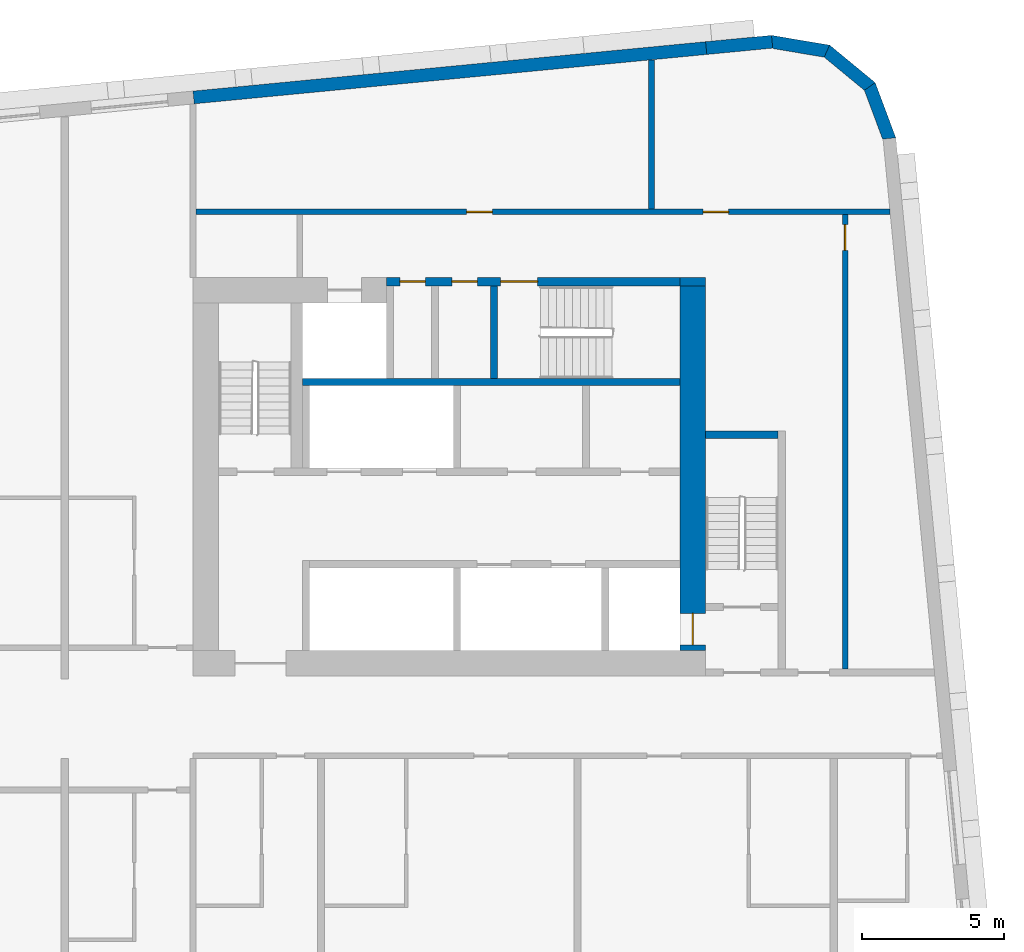
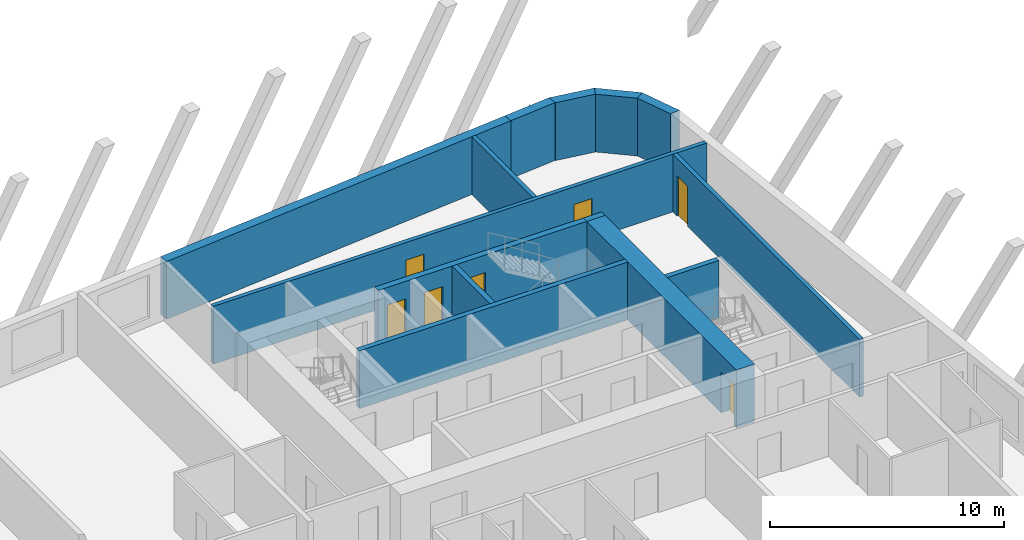
# One storey, part 8 of 13: 14 walls, 7 doors, 7 openings.
"""IFC4 building model written with IfcOpenShell, lengths in metres."""

from ifc_helpers import new_model, si_unit, direction, frame, frame_2d, origin, place, context, subcontext, project, spatial, polyline, rectangle, outline, extrude, material, layer, layer_set, type_object, element, fill, save


model = new_model("IFC4")

# Units and contexts
model_context = context("Model", 3, precision=1e-05, world=origin(), true_north=direction((0.0, 1.0)))
body_context = subcontext(model_context, "Body", "Model", "MODEL_VIEW")
ifc_project = project(units=[si_unit("LENGTHUNIT", "METRE"), si_unit("AREAUNIT", "SQUARE_METRE"), si_unit("VOLUMEUNIT", "CUBIC_METRE"), si_unit("PLANEANGLEUNIT", "RADIAN"), si_unit("MASSUNIT", "GRAM", prefix="KILO")], contexts=[model_context])

# Site, building, storey
site_placement = place(None, origin())
site = spatial("IfcSite", under=ifc_project, at=site_placement, CompositionType="ELEMENT")
building_placement = place(site_placement, origin())
building = spatial("IfcBuilding", under=site, at=building_placement, Name="Kajstack Hotel Tower", CompositionType="ELEMENT")
storey_placement = place(building_placement, frame((0.0, 0.0, 176.800048828125)))
storey = spatial("IfcBuildingStorey", under=building, at=storey_placement, Name="L41", CompositionType="ELEMENT", Elevation=176.800048828125)

# Wall
ifc_material_1 = material(Name="Concrete C60/75", Category="concrete")
ifc_layer_1 = layer(ifc_material_1, 0.89990234375)
ifc_layer_set_1 = layer_set([ifc_layer_1], Name="Core wall 900")
wall_type_1 = type_object("IfcWallType", Name="Core wall 900", PredefinedType="SHEAR", material=ifc_layer_set_1)
wall_1_placement = place(storey_placement, frame((30.60009765625, 15.35009765625, 0.0), z_axis=(0.0, 0.0, 1.0), x_axis=(1.0, 0.0, 0.0)))
element("IfcWall", 1, at=wall_1_placement, inside=storey, type_object=wall_type_1, Name="Core wall E RSW", PredefinedType="SHEAR", context=body_context, shape_type="SweptSolid", body=[
    extrude(rectangle(XDim=0.89990234375, YDim=0.300048828125, at=frame_2d((0.449951171875, 0.0))), origin(), (0.0, 0.0, 1.0), 3.02001953125),
])

# Wall, opening, door
wall_2_placement = place(storey_placement, frame((31.050048828125, 2.39990234375, 0.0), z_axis=(0.0, 0.0, 1.0), x_axis=(0.0, 1.0, 0.0)))
wall_2 = element("IfcWall", 2, at=wall_2_placement, inside=storey, type_object=wall_type_1, Name="Core wall E RW", PredefinedType="SHEAR", context=body_context, shape_type="SweptSolid", body=[
    extrude(rectangle(XDim=12.800048828125, YDim=0.89990234375, at=frame_2d((6.39990234375, 0.0))), origin(), (0.0, 0.0, 1.0), 3.02001953125),
])
opening_1_placement = place(wall_2_placement, frame((0.199951171875, 0.0, 0.0)))
opening_1 = element("IfcOpeningElement", 3, at=opening_1_placement, cuts=wall_2, Name="Opening LD-FF2", PredefinedType="OPENING", context=body_context, shape_type="SweptSolid", body=[
    extrude(rectangle(XDim=1.10009765625, YDim=2.10009765625, at=frame_2d((0.550048828125, 1.050048828125))), frame((0.0, 0.4599609375, 0.0), z_axis=(0.0, -1.0, 0.0), x_axis=(1.0, 0.0, 0.0)), (0.0, 0.0, 1.0), 0.919921875),
])
ifc_material_2 = material(Name="Stainless steel", Category="steel")
door_type_1 = type_object("IfcDoorType", Name="Fire-fighting lift landing door 1100", OperationType="SLIDING_TO_LEFT", PredefinedType="DOOR", material=ifc_material_2)
door_1_placement = place(opening_1_placement, origin())
door_1 = element("IfcDoor", 4, at=door_1_placement, inside=storey, type_object=door_type_1, Name="Landing door FF2", OperationType="SLIDING_TO_LEFT", OverallHeight=2.10009765625, OverallWidth=1.10009765625, PredefinedType="DOOR", context=body_context, shape_type="SweptSolid", body=[
    extrude(rectangle(XDim=1.10009765625, YDim=2.10009765625, at=frame_2d((0.550048828125, 1.050048828125))), frame((0.0, 0.02490234375, 0.0), z_axis=(0.0, -1.0, 0.0), x_axis=(1.0, 0.0, 0.0)), (0.0, 0.0, 1.0), 0.050048828125),
])
fill(opening_1, door_1)

# Walls
ifc_material_3 = material(Name="Concrete C40/50", Category="concrete")
ifc_layer_2 = layer(ifc_material_3, 0.449951171875)
ifc_layer_set_2 = layer_set([ifc_layer_2], Name="EW-CORE")
wall_type_2 = type_object("IfcWallType", Name="EW-CORE", PredefinedType="SOLIDWALL", material=ifc_layer_set_2)
wall_3_placement = place(storey_placement, frame((31.521484375, 23.55078125, 0.0), z_axis=(0.0, 0.0, 1.0), x_axis=(-0.995395166513, -0.095856468129, 0.0)))
element("IfcWall", 5, at=wall_3_placement, inside=storey, type_object=wall_type_2, Name="E-wall-L41-12-01", PredefinedType="SOLIDWALL", context=body_context, shape_type="SweptSolid", body=[
    extrude(rectangle(XDim=18.083251953125, YDim=0.449951171875, at=frame_2d((9.04150390625, 0.0))), origin(), (0.0, 0.0, 1.0), 3.02001953125),
])
ifc_material_4 = material(Name="Terracotta-faced brick masonry", Category="masonry")
ifc_layer_3 = layer(ifc_material_4, 0.449951171875)
ifc_layer_set_3 = layer_set([ifc_layer_3], Name="EW-TERRA")
wall_type_3 = type_object("IfcWallType", Name="EW-TERRA", PredefinedType="SOLIDWALL", material=ifc_layer_set_3)
wall_4_placement = place(storey_placement, frame((37.96875, 20.320556640625, 0.0), z_axis=(0.0, 0.0, 1.0), x_axis=(-0.350192909346, 0.936677599948, 0.0)))
element("IfcWall", 6, at=wall_4_placement, inside=storey, type_object=wall_type_3, Name="E-wall-L41-09-00", PredefinedType="SOLIDWALL", context=body_context, shape_type="SweptSolid", body=[
    extrude(outline(polyline([(0.0, -0.22509765625), (2.070556640625, -0.22509765625), (1.949951171875, 0.22509765625), (0.12060546875, 0.224853515625), (0.0, -0.22509765625)])), origin(), (0.0, 0.0, 1.0), 3.02001953125),
])
wall_5_placement = place(storey_placement, frame((37.311279296875, 22.165283203125, 0.0), z_axis=(0.0, 0.0, 1.0), x_axis=(-0.771651049663, 0.636046112757, 0.0)))
element("IfcWall", 7, at=wall_5_placement, inside=storey, type_object=wall_type_3, Name="E-wall-L41-10-00", PredefinedType="SOLIDWALL", context=body_context, shape_type="SweptSolid", body=[
    extrude(outline(polyline([(0.0, -0.224853515625), (2.0703125, -0.22509765625), (1.94970703125, 0.224853515625), (0.12060546875, 0.22509765625), (0.0, -0.224853515625)])), origin(), (0.0, 0.0, 1.0), 3.02001953125),
])
wall_6_placement = place(storey_placement, frame((35.819580078125, 23.433837890625, 0.0), z_axis=(0.0, 0.0, 1.0), x_axis=(-0.986278951104, 0.165087342366, 0.0)))
element("IfcWall", 8, at=wall_6_placement, inside=storey, type_object=wall_type_3, Name="E-wall-L41-11-00", PredefinedType="SOLIDWALL", context=body_context, shape_type="SweptSolid", body=[
    extrude(outline(polyline([(0.0, -0.22509765625), (2.070556640625, -0.224853515625), (1.949951171875, 0.22509765625), (0.12060546875, 0.224853515625), (0.0, -0.22509765625)])), origin(), (0.0, 0.0, 1.0), 3.02001953125),
])
wall_7_placement = place(storey_placement, frame((33.836181640625, 23.7734375, 0.0), z_axis=(0.0, 0.0, 1.0), x_axis=(-0.995405373555, -0.095750416695, 0.0)))
element("IfcWall", 9, at=wall_7_placement, inside=storey, type_object=wall_type_3, Name="E-wall-L41-12-00", PredefinedType="SOLIDWALL", context=body_context, shape_type="SweptSolid", body=[
    extrude(rectangle(XDim=2.325439453125, YDim=0.449951171875, at=frame_2d((1.16259765625, 0.0))), origin(), (0.0, 0.0, 1.0), 3.02001953125),
])

# Wall, opening, door
ifc_material_5 = material(Name="Gypsum board on steel studs, mineral wool", Category="steel")
ifc_layer_4 = layer(ifc_material_5, 0.199951171875)
ifc_layer_set_4 = layer_set([ifc_layer_4], Name="Service partition 200")
wall_type_4 = type_object("IfcWallType", Name="Service partition 200", PredefinedType="PARTITIONING", material=ifc_layer_set_4)
wall_8_placement = place(storey_placement, frame((36.39990234375, 1.75, 0.0), z_axis=(0.0, 0.0, 1.0), x_axis=(0.0, 1.0, 0.0)))
wall_8 = element("IfcWall", 10, at=wall_8_placement, inside=storey, type_object=wall_type_4, Name="Partition E WRE", PredefinedType="PARTITIONING", context=body_context, shape_type="SweptSolid", body=[
    extrude(rectangle(XDim=15.949951171875, YDim=0.199951171875, at=frame_2d((7.97509765625, 0.0))), origin(), (0.0, 0.0, 1.0), 3.02001953125),
])
opening_2_placement = place(wall_8_placement, frame((14.699951171875, 0.0, 0.0)))
opening_2 = element("IfcOpeningElement", 11, at=opening_2_placement, cuts=wall_8, Name="Opening 41E19", PredefinedType="OPENING", context=body_context, shape_type="SweptSolid", body=[
    extrude(rectangle(XDim=0.89990234375, YDim=2.10009765625, at=frame_2d((0.449951171875, 1.050048828125))), frame((0.0, 0.10986328125, 0.0), z_axis=(0.0, -1.0, 0.0), x_axis=(1.0, 0.0, 0.0)), (0.0, 0.0, 1.0), 0.219970703125),
])
ifc_material_6 = material(Name="Timber leaf, fire-rated", Category="wood")
door_type_2 = type_object("IfcDoorType", Name="Service door 900", OperationType="SINGLE_SWING_LEFT", PredefinedType="DOOR", material=ifc_material_6)
door_2_placement = place(opening_2_placement, origin())
door_2 = element("IfcDoor", 12, at=door_2_placement, inside=storey, type_object=door_type_2, Name="Door 41E19", OperationType="SINGLE_SWING_RIGHT", OverallHeight=2.10009765625, OverallWidth=0.89990234375, PredefinedType="DOOR", context=body_context, shape_type="SweptSolid", body=[
    extrude(rectangle(XDim=0.89990234375, YDim=2.10009765625, at=frame_2d((0.449951171875, 1.050048828125))), frame((0.0, 0.02490234375, 0.0), z_axis=(0.0, -1.0, 0.0), x_axis=(1.0, 0.0, 0.0)), (0.0, 0.0, 1.0), 0.050048828125),
])
fill(opening_2, door_2)

# Wall, openings, doors
wall_9_placement = place(storey_placement, frame((13.60009765625, 17.800048828125, 0.0), z_axis=(0.0, 0.0, 1.0), x_axis=(1.0, 0.0, 0.0)))
wall_9 = element("IfcWall", 13, at=wall_9_placement, inside=storey, type_object=wall_type_4, Name="Partition E SLN", PredefinedType="PARTITIONING", context=body_context, shape_type="SweptSolid", body=[
    extrude(rectangle(XDim=24.377685546875, YDim=0.199951171875, at=frame_2d((12.18896484375, 0.0))), origin(), (0.0, 0.0, 1.0), 3.02001953125),
])
opening_3_placement = place(wall_9_placement, frame((17.8125, 0.0, 0.0)))
opening_3 = element("IfcOpeningElement", 14, at=opening_3_placement, cuts=wall_9, Name="Opening 41E17", PredefinedType="OPENING", context=body_context, shape_type="SweptSolid", body=[
    extrude(rectangle(XDim=0.89990234375, YDim=2.10009765625, at=frame_2d((0.449951171875, 1.050048828125))), frame((0.0, 0.10986328125, 0.0), z_axis=(0.0, -1.0, 0.0), x_axis=(1.0, 0.0, 0.0)), (0.0, 0.0, 1.0), 0.219970703125),
])
opening_4_placement = place(wall_9_placement, frame((9.512451171875, 0.0, 0.0)))
opening_4 = element("IfcOpeningElement", 15, at=opening_4_placement, cuts=wall_9, Name="Opening 41E18", PredefinedType="OPENING", context=body_context, shape_type="SweptSolid", body=[
    extrude(rectangle(XDim=0.89990234375, YDim=2.10009765625, at=frame_2d((0.449951171875, 1.050048828125))), frame((0.0, 0.10986328125, 0.0), z_axis=(0.0, -1.0, 0.0), x_axis=(1.0, 0.0, 0.0)), (0.0, 0.0, 1.0), 0.219970703125),
])
door_3_placement = place(opening_3_placement, origin())
door_3 = element("IfcDoor", 16, at=door_3_placement, inside=storey, type_object=door_type_2, Name="Door 41E17", OperationType="SINGLE_SWING_LEFT", OverallHeight=2.10009765625, OverallWidth=0.89990234375, PredefinedType="DOOR", context=body_context, shape_type="SweptSolid", body=[
    extrude(rectangle(XDim=0.89990234375, YDim=2.10009765625, at=frame_2d((0.449951171875, 1.050048828125))), frame((0.0, 0.02490234375, 0.0), z_axis=(0.0, -1.0, 0.0), x_axis=(1.0, 0.0, 0.0)), (0.0, 0.0, 1.0), 0.050048828125),
])
fill(opening_3, door_3)
door_4_placement = place(opening_4_placement, origin())
door_4 = element("IfcDoor", 17, at=door_4_placement, inside=storey, type_object=door_type_2, Name="Door 41E18", OperationType="SINGLE_SWING_LEFT", OverallHeight=2.10009765625, OverallWidth=0.89990234375, PredefinedType="DOOR", context=body_context, shape_type="SweptSolid", body=[
    extrude(rectangle(XDim=0.89990234375, YDim=2.10009765625, at=frame_2d((0.449951171875, 1.050048828125))), frame((0.0, 0.02490234375, 0.0), z_axis=(0.0, -1.0, 0.0), x_axis=(1.0, 0.0, 0.0)), (0.0, 0.0, 1.0), 0.050048828125),
])
fill(opening_4, door_4)

# Wall
wall_10_placement = place(storey_placement, frame((29.60009765625, 17.89990234375, 0.0), z_axis=(0.0, 0.0, 1.0), x_axis=(0.0, 1.0, 0.0)))
element("IfcWall", 18, at=wall_10_placement, inside=storey, type_object=wall_type_4, Name="Partition E SLP0", PredefinedType="PARTITIONING", context=body_context, shape_type="SweptSolid", body=[
    extrude(rectangle(XDim=5.24072265625, YDim=0.199951171875, at=frame_2d((2.620361328125, 0.0))), origin(), (0.0, 0.0, 1.0), 3.02001953125),
])

# Wall, openings, doors
ifc_material_7 = material(Name="Concrete C50/60", Category="concrete")
ifc_layer_5 = layer(ifc_material_7, 0.25)
ifc_layer_set_5 = layer_set([ifc_layer_5], Name="Shaft wall 250")
wall_type_5 = type_object("IfcWallType", Name="Shaft wall 250", PredefinedType="SHEAR", material=ifc_layer_set_5)
wall_11_placement = place(storey_placement, frame((20.300048828125, 15.35009765625, 0.0), z_axis=(0.0, 0.0, 1.0), x_axis=(1.0, 0.0, 0.0)))
wall_11 = element("IfcWall", 19, at=wall_11_placement, inside=storey, type_object=wall_type_5, Name="Core wall E RSS", PredefinedType="SHEAR", context=body_context, shape_type="SweptSolid", body=[
    extrude(rectangle(XDim=10.300048828125, YDim=0.300048828125, at=frame_2d((5.14990234375, 0.0))), origin(), (0.0, 0.0, 1.0), 3.02001953125),
])
opening_5_placement = place(wall_11_placement, frame((4.0, 0.0, 0.0)))
opening_5 = element("IfcOpeningElement", 20, at=opening_5_placement, cuts=wall_11, Name="Opening 41E12", PredefinedType="OPENING", context=body_context, shape_type="SweptSolid", body=[
    extrude(rectangle(XDim=1.300048828125, YDim=2.10009765625, at=frame_2d((0.64990234375, 1.050048828125))), frame((0.0, 0.159912109375, 0.0), z_axis=(0.0, -1.0, 0.0), x_axis=(1.0, 0.0, 0.0)), (0.0, 0.0, 1.0), 0.320068359375),
])
opening_6_placement = place(wall_11_placement, frame((2.28759765625, 0.0, 0.0)))
opening_6 = element("IfcOpeningElement", 21, at=opening_6_placement, cuts=wall_11, Name="Opening 41E13", PredefinedType="OPENING", context=body_context, shape_type="SweptSolid", body=[
    extrude(rectangle(XDim=0.89990234375, YDim=2.10009765625, at=frame_2d((0.449951171875, 1.050048828125))), frame((0.0, 0.159912109375, 0.0), z_axis=(0.0, -1.0, 0.0), x_axis=(1.0, 0.0, 0.0)), (0.0, 0.0, 1.0), 0.320068359375),
])
opening_7_placement = place(wall_11_placement, frame((0.46240234375, 0.0, 0.0)))
opening_7 = element("IfcOpeningElement", 22, at=opening_7_placement, cuts=wall_11, Name="Opening 41E14", PredefinedType="OPENING", context=body_context, shape_type="SweptSolid", body=[
    extrude(rectangle(XDim=0.89990234375, YDim=2.10009765625, at=frame_2d((0.449951171875, 1.050048828125))), frame((0.0, 0.159912109375, 0.0), z_axis=(0.0, -1.0, 0.0), x_axis=(1.0, 0.0, 0.0)), (0.0, 0.0, 1.0), 0.320068359375),
])
door_5_placement = place(opening_6_placement, origin())
door_5 = element("IfcDoor", 23, at=door_5_placement, inside=storey, type_object=door_type_2, Name="Door 41E13", OperationType="SINGLE_SWING_RIGHT", OverallHeight=2.10009765625, OverallWidth=0.89990234375, PredefinedType="DOOR", context=body_context, shape_type="SweptSolid", body=[
    extrude(rectangle(XDim=0.89990234375, YDim=2.10009765625, at=frame_2d((0.449951171875, 1.050048828125))), frame((0.0, 0.02490234375, 0.0), z_axis=(0.0, -1.0, 0.0), x_axis=(1.0, 0.0, 0.0)), (0.0, 0.0, 1.0), 0.050048828125),
])
fill(opening_6, door_5)
door_6_placement = place(opening_7_placement, origin())
door_6 = element("IfcDoor", 24, at=door_6_placement, inside=storey, type_object=door_type_2, Name="Door 41E14", OperationType="SINGLE_SWING_RIGHT", OverallHeight=2.10009765625, OverallWidth=0.89990234375, PredefinedType="DOOR", context=body_context, shape_type="SweptSolid", body=[
    extrude(rectangle(XDim=0.89990234375, YDim=2.10009765625, at=frame_2d((0.449951171875, 1.050048828125))), frame((0.0, 0.02490234375, 0.0), z_axis=(0.0, -1.0, 0.0), x_axis=(1.0, 0.0, 0.0)), (0.0, 0.0, 1.0), 0.050048828125),
])
fill(opening_7, door_6)
ifc_material_8 = material(Name="Steel leaf, fire-rated", Category="steel")
door_type_3 = type_object("IfcDoorType", Name="Stair door 1300", OperationType="SINGLE_SWING_LEFT", PredefinedType="DOOR", material=ifc_material_8)
door_7_placement = place(opening_5_placement, origin())
door_7 = element("IfcDoor", 25, at=door_7_placement, inside=storey, type_object=door_type_3, Name="Door 41E12", OperationType="SINGLE_SWING_LEFT", OverallHeight=2.10009765625, OverallWidth=1.300048828125, PredefinedType="DOOR", context=body_context, shape_type="SweptSolid", body=[
    extrude(rectangle(XDim=1.300048828125, YDim=2.10009765625, at=frame_2d((0.64990234375, 1.050048828125))), frame((0.0, 0.02490234375, 0.0), z_axis=(0.0, -1.0, 0.0), x_axis=(1.0, 0.0, 0.0)), (0.0, 0.0, 1.0), 0.050048828125),
])
fill(opening_5, door_7)

# Walls
wall_12_placement = place(storey_placement, frame((17.35009765625, 11.824951171875, 0.0), z_axis=(0.0, 0.0, 1.0), x_axis=(1.0, 0.0, 0.0)))
element("IfcWall", 26, at=wall_12_placement, inside=storey, type_object=wall_type_5, Name="Core wall E RB", PredefinedType="SHEAR", context=body_context, shape_type="SweptSolid", body=[
    extrude(rectangle(XDim=13.25, YDim=0.25, at=frame_2d((6.625, 0.0))), origin(), (0.0, 0.0, 1.0), 3.02001953125),
])
ifc_layer_6 = layer(ifc_material_3, 0.25)
ifc_layer_set_6 = layer_set([ifc_layer_6], Name="Stair enclosure wall 250")
wall_type_6 = type_object("IfcWallType", Name="Stair enclosure wall 250", PredefinedType="SHEAR", material=ifc_layer_set_6)
wall_13_placement = place(storey_placement, frame((31.5, 9.97509765625, 0.0), z_axis=(0.0, 0.0, 1.0), x_axis=(1.0, 0.0, 0.0)))
element("IfcWall", 27, at=wall_13_placement, inside=storey, type_object=wall_type_6, Name="Core wall E W1S", PredefinedType="SHEAR", context=body_context, shape_type="SweptSolid", body=[
    extrude(rectangle(XDim=2.550048828125, YDim=0.25, at=frame_2d((1.27490234375, 0.0))), origin(), (0.0, 0.0, 1.0), 3.02001953125),
])
ifc_layer_7 = layer(ifc_material_7, 0.35009765625)
ifc_layer_set_7 = layer_set([ifc_layer_7], Name="Stair enclosure wall 350")
wall_type_7 = type_object("IfcWallType", Name="Stair enclosure wall 350", PredefinedType="SHEAR", material=ifc_layer_set_7)
wall_14_placement = place(storey_placement, frame((24.074951171875, 11.949951171875, 0.0), z_axis=(0.0, 0.0, 1.0), x_axis=(0.0, 1.0, 0.0)))
element("IfcWall", 28, at=wall_14_placement, inside=storey, type_object=wall_type_7, Name="Core wall E W3E", PredefinedType="SHEAR", context=body_context, shape_type="SweptSolid", body=[
    extrude(rectangle(XDim=3.25, YDim=0.25, at=frame_2d((1.625, 0.0))), origin(), (0.0, 0.0, 1.0), 3.02001953125),
])

save(model, "model.ifc")
